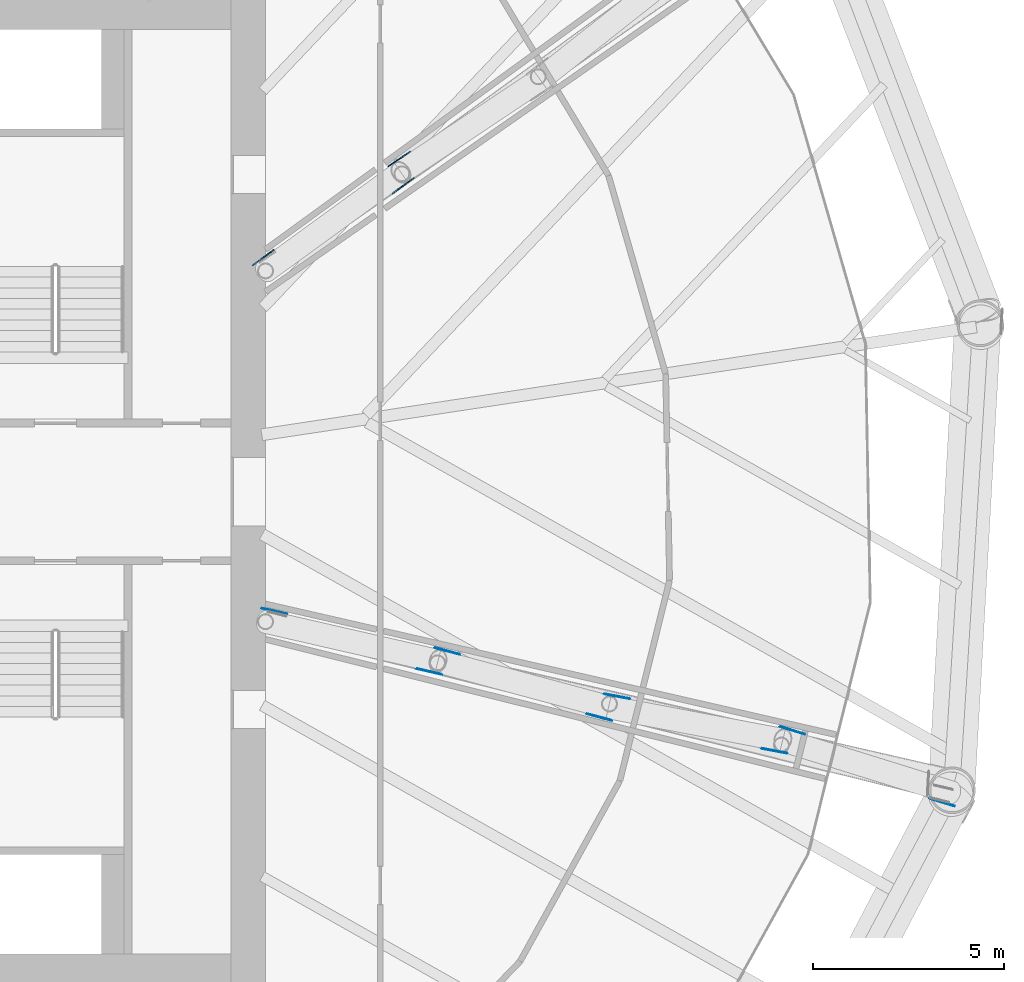
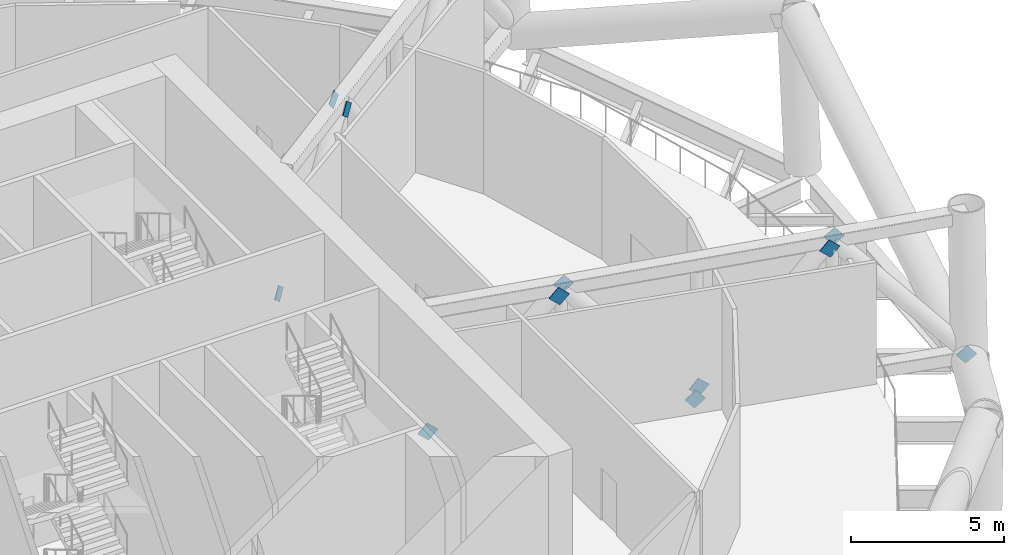
# One storey, part 19 of 39: 11 discrete accessories.
"""IFC4 building model written with IfcOpenShell, lengths in metres."""

import ifcopenshell
import ifcopenshell.guid

model = None  # the IFC model being written
_history = None  # IfcOwnerHistory: only IFC2X3 demands one
_inside = {}  # id of a spatial element -> (the spatial element, [elements in it])
_under = {}  # id of a project, library or spatial element -> (it, [spatial elements below it])
_declared = {}  # id of a project -> (the project, [libraries it declares])
_typed = {}  # id of a type object -> (the type object, [elements of that type])
_made_of = {}  # id of a material, layer set ... -> (it, [elements and type objects made of it])


def new_model(schema):
    """Start an empty IFC model of exactly this schema.

    Asked for "IFC4X3", IfcOpenShell would pick the latest addendum, in which some entities
    have other attributes; the version numbers below select the first issue.
    IFC2X3 requires an IfcOwnerHistory on every rooted entity: one is made here for all.
    """
    global model, _history
    if schema == "IFC4X3":
        model = ifcopenshell.file(schema_version=(4, 3, 0, 0))
    else:
        model = ifcopenshell.file(schema=schema)
    _inside.clear()
    _under.clear()
    _declared.clear()
    _typed.clear()
    _made_of.clear()
    _history = None
    if model.schema == "IFC2X3":
        org = make("IfcOrganization", Name="unknown")
        user = make(
            "IfcPersonAndOrganization",
            ThePerson=make("IfcPerson", FamilyName="unknown"),
            TheOrganization=org,
        )
        app = make(
            "IfcApplication",
            ApplicationDeveloper=org,
            Version="unknown",
            ApplicationFullName="unknown",
            ApplicationIdentifier="unknown",
        )
        _history = make(
            "IfcOwnerHistory",
            OwningUser=user,
            OwningApplication=app,
            ChangeAction="ADDED",
            CreationDate=0,
        )
    return model


def make(cls, **values):
    """One entity of the class cls with the attributes given. An attribute that is None is left unset."""
    return model.create_entity(
        cls, **{name: value for name, value in values.items() if value is not None}
    )


def rooted(cls, **values):
    """An entity with a GlobalId (a new one), such as an element, a storey or a relation."""
    return make(cls, GlobalId=ifcopenshell.guid.new(), OwnerHistory=_history, **values)


def si_unit(unit_type, name, prefix=None):
    """IfcSIUnit, for example si_unit("LENGTHUNIT", "METRE", prefix="MILLI")."""
    return make("IfcSIUnit", UnitType=unit_type, Prefix=prefix, Name=name)


def assignment(units):
    """IfcUnitAssignment: the units of a project."""
    return None if units is None else make("IfcUnitAssignment", Units=units)


def point(xyz):
    """IfcCartesianPoint."""
    return None if xyz is None else make("IfcCartesianPoint", Coordinates=xyz)


def direction(xyz):
    """IfcDirection."""
    return None if xyz is None else make("IfcDirection", DirectionRatios=xyz)


def frame(location, z_axis=None, x_axis=None):
    """IfcAxis2Placement3D, a coordinate frame: its origin and axes. An axis left out is left unset."""
    return make(
        "IfcAxis2Placement3D",
        Location=point(location),
        Axis=direction(z_axis),
        RefDirection=direction(x_axis),
    )


def frame_2d(location, x_axis=None):
    """IfcAxis2Placement2D, a coordinate frame in the plane: its origin and x axis."""
    return make(
        "IfcAxis2Placement2D", Location=point(location), RefDirection=direction(x_axis)
    )


def origin():
    """The frame at (0, 0, 0) with its axes left unset."""
    return frame((0.0, 0.0, 0.0))


def origin_2d():
    """The frame at (0, 0) in the plane with its x axis left unset."""
    return frame_2d((0.0, 0.0))


def place(relative_to, where):
    """IfcLocalPlacement: puts the frame where relative to a parent placement (None: the world)."""
    return make(
        "IfcLocalPlacement", PlacementRelTo=relative_to, RelativePlacement=where
    )


def context(
    kind, dimensions, precision=None, world=None, true_north=None, identifier=None
):
    """IfcGeometricRepresentationContext, for example the 3D "Model" context."""
    return make(
        "IfcGeometricRepresentationContext",
        ContextIdentifier=identifier,
        ContextType=kind,
        CoordinateSpaceDimension=dimensions,
        Precision=precision,
        WorldCoordinateSystem=world,
        TrueNorth=true_north,
    )


def subcontext(parent, identifier, kind, view, scale=None):
    """IfcGeometricRepresentationSubContext, for example "Body" below "Model"."""
    return make(
        "IfcGeometricRepresentationSubContext",
        ContextIdentifier=identifier,
        ContextType=kind,
        ParentContext=parent,
        TargetScale=scale,
        TargetView=view,
    )


def project(units=None, contexts=None):
    """IfcProject with its units and contexts."""
    return rooted(
        "IfcProject",
        Name="project",
        RepresentationContexts=contexts,
        UnitsInContext=assignment(units),
    )


def spatial(cls, under=None, at=None, **own):
    """A site, building, storey or space (cls), placed at a placement, below another one or the project."""
    s = rooted(cls, ObjectPlacement=at, **own)
    if under is not None:
        _under.setdefault(under.id(), (under, []))[1].append(s)
    return s


def profile(cls, at=None, kind="AREA", **sizes):
    """A parametric profile (cls). Its sizes go by their IFC names, for example OverallWidth=200.0."""
    return make(cls, ProfileType=kind, Position=at, **sizes)


def rectangle(**sizes):
    """IfcRectangleProfileDef."""
    return profile("IfcRectangleProfileDef", **sizes)


def extrude(swept, where, along, depth):
    """IfcExtrudedAreaSolid: the profile swept, set in the frame where, extruded along a direction by depth."""
    return make(
        "IfcExtrudedAreaSolid",
        SweptArea=swept,
        Position=where,
        ExtrudedDirection=direction(along),
        Depth=depth,
    )


def shape(context_of_items, identifier, shape_type, items):
    """IfcShapeRepresentation: the items that make up one representation, for example the "Body"."""
    return make(
        "IfcShapeRepresentation",
        ContextOfItems=context_of_items,
        RepresentationIdentifier=identifier,
        RepresentationType=shape_type,
        Items=items,
    )


def material(Name=None, Category=None):
    """IfcMaterial."""
    return make("IfcMaterial", Name=Name, Category=Category)


def material_profile(
    of_material, cross_section, Name=None, Category=None, Priority=None
):
    """IfcMaterialProfile: a cross section and its material."""
    return make(
        "IfcMaterialProfile",
        Name=Name,
        Material=of_material,
        Profile=cross_section,
        Priority=Priority,
        Category=Category,
    )


def profile_set(profiles, Name=None, composite=None):
    """IfcMaterialProfileSet."""
    return make(
        "IfcMaterialProfileSet",
        Name=Name,
        MaterialProfiles=profiles,
        CompositeProfile=composite,
    )


def made_of(thing, what):
    """Note that an element or type object is made of a material, layer set ...; save() writes the relation."""
    if what is not None:
        _made_of.setdefault(what.id(), (what, []))[1].append(thing)
    return thing


def type_object(cls, material=None, **own):
    """A type object (cls), such as IfcWallType, which elements share."""
    return made_of(rooted(cls, **own), material)


def element(
    cls,
    number,
    at=None,
    inside=None,
    cuts=None,
    type_object=None,
    material=None,
    context=None,
    identifier="Body",
    shape_type=None,
    held_by="IfcProductDefinitionShape",
    body=None,
    shapes=None,
    **own,
):
    """One element of the class cls, such as IfcWall. Its Tag is "e" and its number.

    at: its placement. inside: the storey or other place that contains it. cuts: it is an
    opening in that element (IfcRelVoidsElement). A single representation is given by context,
    identifier, shape_type and body (its items); several are given by shapes. held_by: the class
    of the entity that holds the representations. save() writes the other relations.
    """
    e = rooted(cls, Tag="e%d" % number, ObjectPlacement=at, **own)
    if body is not None:
        shapes = [shape(context, identifier, shape_type, body)]
    if shapes is not None:
        e.Representation = make(held_by, Representations=shapes)
    if inside is not None:
        _inside.setdefault(inside.id(), (inside, []))[1].append(e)
    if cuts is not None:
        rooted(
            "IfcRelVoidsElement", RelatingBuildingElement=cuts, RelatedOpeningElement=e
        )
    if type_object is not None:
        _typed.setdefault(type_object.id(), (type_object, []))[1].append(e)
    return made_of(e, material)


def aggregate(whole, parts):
    """IfcRelAggregates: a whole, such as a stair, and the parts it consists of."""
    return rooted("IfcRelAggregates", RelatingObject=whole, RelatedObjects=parts)


def save(model, path):
    """Write the relations noted so far, then the file.

    IfcRelAggregates (storeys below a building ...), IfcRelContainedInSpatialStructure (elements
    in a storey), IfcRelDefinesByType, IfcRelAssociatesMaterial and IfcRelDeclares: one each for
    every whole, place, type object, material and project.
    """
    for whole, parts in _under.values():
        aggregate(whole, parts)
    for where, things in _inside.values():
        rooted(
            "IfcRelContainedInSpatialStructure",
            RelatedElements=things,
            RelatingStructure=where,
        )
    for kind, things in _typed.values():
        rooted("IfcRelDefinesByType", RelatedObjects=things, RelatingType=kind)
    for what, things in _made_of.values():
        rooted("IfcRelAssociatesMaterial", RelatedObjects=things, RelatingMaterial=what)
    for by, libraries in _declared.values():
        rooted("IfcRelDeclares", RelatingContext=by, RelatedDefinitions=libraries)
    model.write(path)


model = new_model("IFC4")

# Units and contexts
model_context = context("Model", 3, precision=1e-05, world=origin(), true_north=direction((0.0, 1.0)))
body_context = subcontext(model_context, "Body", "Model", "MODEL_VIEW")
ifc_project = project(units=[si_unit("LENGTHUNIT", "METRE"), si_unit("AREAUNIT", "SQUARE_METRE"), si_unit("VOLUMEUNIT", "CUBIC_METRE"), si_unit("PLANEANGLEUNIT", "RADIAN"), si_unit("MASSUNIT", "GRAM", prefix="KILO")], contexts=[model_context])

# Site, building, storey
site_placement = place(None, origin())
site = spatial("IfcSite", under=ifc_project, at=site_placement, CompositionType="ELEMENT")
building_placement = place(site_placement, origin())
building = spatial("IfcBuilding", under=site, at=building_placement, Name="Tarsis Ring Headquarters", CompositionType="ELEMENT")
storey_placement = place(building_placement, frame((0.0, 0.0, 86.800048828125)))
storey = spatial("IfcBuildingStorey", under=building, at=storey_placement, Name="L19", CompositionType="ELEMENT", Elevation=86.800048828125)

# Discrete accessories
ifc_material = material(Name="Structural steel S355", Category="steel")
ifc_material_profile = material_profile(ifc_material, rectangle(XDim=0.02490234375, YDim=0.5, at=origin_2d()), Name="PL 25x500")
ifc_profile_set = profile_set([ifc_material_profile], Name="Structural steel S355")
discrete_accessory_type = type_object("IfcDiscreteAccessoryType", Name="Gusset plate Outrigger 25", PredefinedType="BRACKET", material=ifc_profile_set)
for number, where, z_axis, x_axis, name in (
    (1, (10.07080078125, -3.0908203125, 0.25390625), (0.639259688634, -0.146018828802, 0.755000365644), (0.222683242751, 0.974890852043, 0.0), "Gusset plate GP1"),
    (2, (14.442626953125, -4.743408203125, 5.5859375), (-0.639214032098, 0.146496722406, -0.754946442798), (-0.223390895497, -0.974728940685, 0.0), "Gusset plate GP1"),
    (3, (14.595947265625, -4.127685546875, 5.5859375), (0.632788210643, -0.170403615366, -0.755342100204), (0.260026912036, 0.965601369623, 0.0), "Gusset plate GP1"),
    (4, (18.897705078125, -5.94384765625, 0.25390625), (-0.632788210643, 0.170403615366, 0.755342100204), (-0.260026912036, -0.965601369623, 0.0), "Gusset plate GP1"),
):
    element("IfcDiscreteAccessory", number, at=place(storey_placement, frame(where, z_axis=z_axis, x_axis=x_axis)), inside=storey, type_object=discrete_accessory_type, Name=name, PredefinedType="BRACKET", context=body_context, shape_type="SweptSolid", body=[
        extrude(rectangle(XDim=0.02490234375, YDim=0.5, at=origin_2d()), origin(), (0.0, 0.0, 1.0), 0.5),
    ])
discrete_accessory_placement = place(storey_placement, frame((19.039306640625, -5.32568359375, 0.25390625), z_axis=(0.64524587852, -0.122508861958, 0.754088413248), x_axis=(0.186531537333, 0.982448973525, 0.0)))
element("IfcDiscreteAccessory", 5, at=discrete_accessory_placement, inside=storey, type_object=discrete_accessory_type, Name="Gusset plate GP1", PredefinedType="BRACKET", context=body_context, shape_type="SweptSolid", body=[
    extrude(rectangle(XDim=0.02490234375, YDim=0.5, at=origin_2d()), origin(), (0.0, 0.0, 1.0), 0.500244140625),
])
for number, where, z_axis, x_axis, name in (
    (6, (23.481201171875, -6.813720703125, 5.5859375), (-0.644999386406, 0.122066500077, -0.754370970475), (-0.185949891863, -0.982559228605, 0.0), "Gusset plate GP1"),
    (7, (23.634521484375, -6.198974609375, 5.5859375), (0.625914411447, -0.194316642555, -0.755296095561), (0.296492939072, 0.955035044949, 0.0), "Gusset plate GP1"),
    (8, (27.866455078125, -8.177978515625, 0.25390625), (-0.625914411447, 0.194316642555, 0.755296095561), (-0.296492939072, -0.955035044949, 0.0), "Gusset plate GP1"),
    (9, (9.8134765625, 6.03955078125, 0.25390625), (0.513650505507, 0.373519616647, 0.772428802008), (-0.588125984771, 0.808769328077, 0.0), "Gusset plate GP1"),
    (10, (13.73193359375, 8.1044921875, 5.5859375), (-0.513650505507, -0.373519616647, -0.772428802008), (0.588125984771, -0.808769328077, 0.0), "Gusset plate GP1"),
    (11, (13.369140625, 8.625, 5.5859375), (0.527742075103, 0.352478980781, -0.772817488333), (-0.555410085958, 0.831576596843, 0.0), "Gusset plate GP1"),
):
    element("IfcDiscreteAccessory", number, at=place(storey_placement, frame(where, z_axis=z_axis, x_axis=x_axis)), inside=storey, type_object=discrete_accessory_type, Name=name, PredefinedType="BRACKET", context=body_context, shape_type="SweptSolid", body=[
        extrude(rectangle(XDim=0.02490234375, YDim=0.5, at=origin_2d()), origin(), (0.0, 0.0, 1.0), 0.5),
    ])

save(model, "model.ifc")
